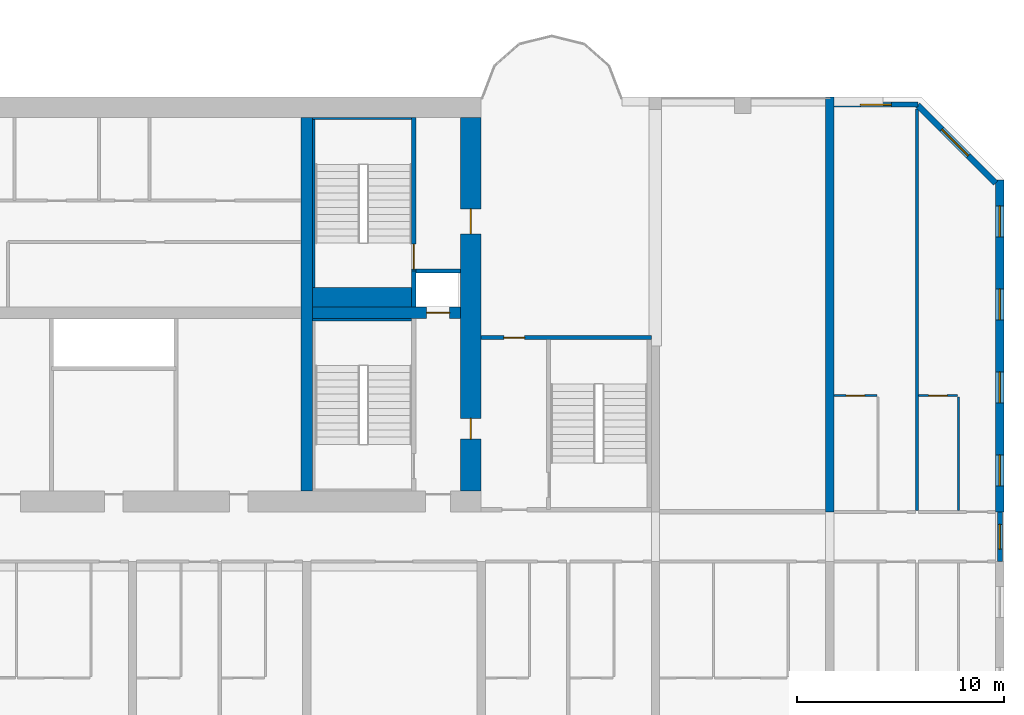
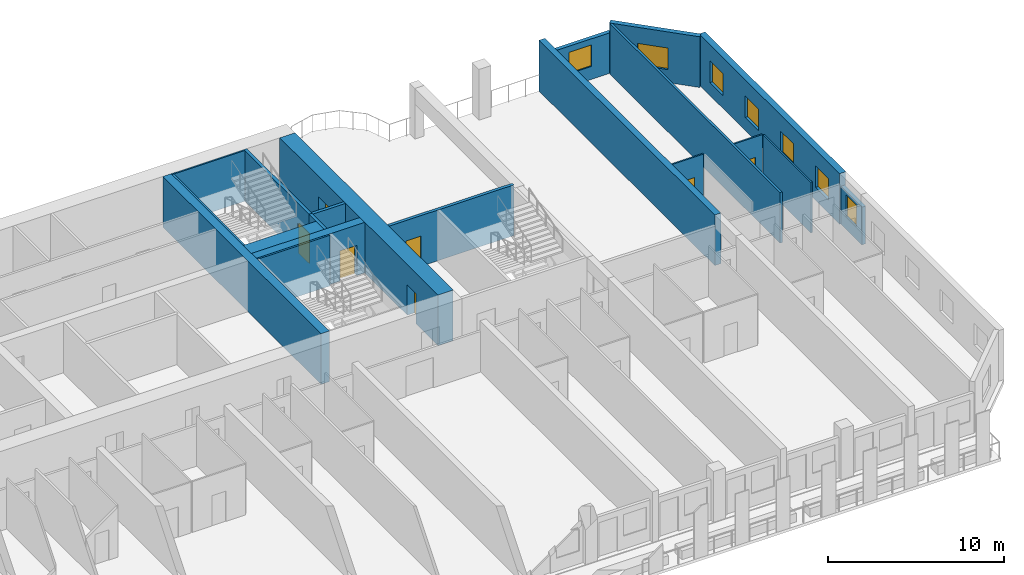
# One storey, part 10 of 14: 20 walls, 7 doors, 7 windows, 14 openings.
"""IFC4 building model written with IfcOpenShell, lengths in metres."""

from ifc_helpers import new_model, si_unit, direction, frame, frame_2d, origin, place, context, subcontext, project, spatial, rectangle, extrude, source, transform, mapped, material, layer, layer_set, type_object, element, fill, save


model = new_model("IFC4")

# Units and contexts
model_context = context("Model", 3, precision=1e-05, world=origin(), true_north=direction((0.0, 1.0)))
body_context = subcontext(model_context, "Body", "Model", "MODEL_VIEW")
ifc_project = project(units=[si_unit("LENGTHUNIT", "METRE"), si_unit("AREAUNIT", "SQUARE_METRE"), si_unit("VOLUMEUNIT", "CUBIC_METRE"), si_unit("PLANEANGLEUNIT", "RADIAN"), si_unit("MASSUNIT", "GRAM", prefix="KILO")], contexts=[model_context])

# Site, building, storey
site_placement = place(None, origin())
site = spatial("IfcSite", under=ifc_project, at=site_placement, CompositionType="ELEMENT")
building_placement = place(site_placement, origin())
building = spatial("IfcBuilding", under=site, at=building_placement, Name="Vanashikhar Sky Hotel", CompositionType="ELEMENT")
storey_placement = place(building_placement, frame((0.0, 0.0, 73.39990234375)))
storey = spatial("IfcBuildingStorey", under=building, at=storey_placement, Name="L17", CompositionType="ELEMENT", Elevation=73.39990234375)

# Wall, openings, doors
ifc_material_1 = material(Name="Concrete M80", Category="concrete")
ifc_layer_1 = layer(ifc_material_1, 1.0)
ifc_layer_set_1 = layer_set([ifc_layer_1], Name="RC core shell wall 1000 Concrete M80")
wall_type_1 = type_object("IfcWallType", Name="RC core shell wall 1000 Concrete M80", PredefinedType="SHEAR", material=ifc_layer_set_1)
shared_shape_1 = source(origin(), body_context, "Body", "SweptSolid", [
    extrude(rectangle(XDim=18.0, YDim=1.0, at=frame_2d((9.0, 0.0))), origin(), (0.0, 0.0, 1.0), 3.52001953125),
])
wall_1_placement = place(storey_placement, frame((75.10009765625, 23.0, 0.0), z_axis=(0.0, 0.0, 1.0), x_axis=(0.0, 1.0, 0.0)))
wall_1 = element("IfcWall", 1, at=wall_1_placement, inside=storey, type_object=wall_type_1, Name="KW-L17-KE", PredefinedType="SHEAR", context=body_context, shape_type="MappedRepresentation", body=[
    mapped(shared_shape_1, transform((0.0, 0.0, 0.0), scale=1.0)),
])
shared_shape_2 = source(origin(), body_context, "Body", "SweptSolid", [
    extrude(rectangle(XDim=1.0, YDim=2.10009765625, at=frame_2d((0.5, 1.050048828125))), frame((0.0, 0.510009765625, 0.0), z_axis=(0.0, -1.0, 0.0), x_axis=(1.0, 0.0, 0.0)), (0.0, 0.0, 1.0), 1.02001953125),
])
opening_1_placement = place(wall_1_placement, frame((2.5, 0.0, 0.0)))
opening_1 = element("IfcOpeningElement", 2, at=opening_1_placement, cuts=wall_1, Name="Opening DC-5", PredefinedType="OPENING", context=body_context, shape_type="MappedRepresentation", body=[
    mapped(shared_shape_2, transform((0.0, 0.0, 0.0), scale=1.0)),
])
shared_shape_3 = source(origin(), body_context, "Body", "SweptSolid", [
    extrude(rectangle(XDim=1.199951171875, YDim=2.10009765625, at=frame_2d((0.60009765625, 1.050048828125))), frame((0.0, 0.510009765625, 0.0), z_axis=(0.0, -1.0, 0.0), x_axis=(1.0, 0.0, 0.0)), (0.0, 0.0, 1.0), 1.02001953125),
])
opening_2_placement = place(wall_1_placement, frame((12.39990234375, 0.0, 0.0)))
opening_2 = element("IfcOpeningElement", 3, at=opening_2_placement, cuts=wall_1, Name="Opening DC-4-D", PredefinedType="OPENING", context=body_context, shape_type="MappedRepresentation", body=[
    mapped(shared_shape_3, transform((0.0, 0.0, 0.0), scale=1.0)),
])
ifc_material_2 = material(Name="Steel", Category="steel")
door_type_1 = type_object("IfcDoorType", Name="Refuge door 1000 FD120", OperationType="NOTDEFINED", PredefinedType="DOOR", material=ifc_material_2)
shared_shape_4 = source(origin(), body_context, "Body", "SweptSolid", [
    extrude(rectangle(XDim=1.0, YDim=2.10009765625, at=frame_2d((0.5, 1.050048828125))), frame((0.0, 0.02490234375, 0.0), z_axis=(0.0, -1.0, 0.0), x_axis=(1.0, 0.0, 0.0)), (0.0, 0.0, 1.0), 0.050048828125),
])
door_1_placement = place(opening_1_placement, origin())
door_1 = element("IfcDoor", 4, at=door_1_placement, inside=storey, type_object=door_type_1, Name="Refuge door 1000 FD120", OperationType="SINGLE_SWING_LEFT", OverallHeight=2.10009765625, OverallWidth=1.0, PredefinedType="DOOR", context=body_context, shape_type="MappedRepresentation", body=[
    mapped(shared_shape_4, transform((0.0, 0.0, 0.0), scale=1.0)),
])
fill(opening_1, door_1)
door_type_2 = type_object("IfcDoorType", Name="Service door 1200 FD120", OperationType="NOTDEFINED", PredefinedType="DOOR", material=ifc_material_2)
shared_shape_5 = source(origin(), body_context, "Body", "SweptSolid", [
    extrude(rectangle(XDim=1.199951171875, YDim=2.10009765625, at=frame_2d((0.60009765625, 1.050048828125))), frame((0.0, 0.02490234375, 0.0), z_axis=(0.0, -1.0, 0.0), x_axis=(1.0, 0.0, 0.0)), (0.0, 0.0, 1.0), 0.050048828125),
])
door_2_placement = place(opening_2_placement, origin())
door_2 = element("IfcDoor", 5, at=door_2_placement, inside=storey, type_object=door_type_2, Name="Service door 1200 FD120", OperationType="SINGLE_SWING_RIGHT", OverallHeight=2.10009765625, OverallWidth=1.199951171875, PredefinedType="DOOR", context=body_context, shape_type="MappedRepresentation", body=[
    mapped(shared_shape_5, transform((0.0, 0.0, 0.0), scale=1.0)),
])
fill(opening_2, door_2)

# Wall
ifc_layer_2 = layer(ifc_material_1, 0.550048828125)
ifc_layer_set_2 = layer_set([ifc_layer_2], Name="RC core inner wall 550 Concrete M80")
wall_type_2 = type_object("IfcWallType", Name="RC core inner wall 550 Concrete M80", PredefinedType="SHEAR", material=ifc_layer_set_2)
shared_shape_6 = source(origin(), body_context, "Body", "SweptSolid", [
    extrude(rectangle(XDim=18.0, YDim=0.550048828125, at=frame_2d((9.0, 0.0))), origin(), (0.0, 0.0, 1.0), 3.52001953125),
])
wall_2_placement = place(storey_placement, frame((67.199951171875, 23.0, 0.0), z_axis=(0.0, 0.0, 1.0), x_axis=(0.0, 1.0, 0.0)))
element("IfcWall", 6, at=wall_2_placement, inside=storey, type_object=wall_type_2, Name="KW-L17-KX3", PredefinedType="SHEAR", context=body_context, shape_type="MappedRepresentation", body=[
    mapped(shared_shape_6, transform((0.0, 0.0, 0.0), scale=1.0)),
])

# Wall, opening, door
shared_shape_7 = source(origin(), body_context, "Body", "SweptSolid", [
    extrude(rectangle(XDim=7.125, YDim=0.550048828125, at=frame_2d((3.5625, 0.0))), origin(), (0.0, 0.0, 1.0), 3.52001953125),
])
wall_3_placement = place(storey_placement, frame((67.47509765625, 31.60009765625, 0.0), z_axis=(0.0, 0.0, 1.0), x_axis=(1.0, 0.0, 0.0)))
wall_3 = element("IfcWall", 7, at=wall_3_placement, inside=storey, type_object=wall_type_2, Name="KW-L17-KY4", PredefinedType="SHEAR", context=body_context, shape_type="MappedRepresentation", body=[
    mapped(shared_shape_7, transform((0.0, 0.0, 0.0), scale=1.0)),
])
shared_shape_8 = source(origin(), body_context, "Body", "SweptSolid", [
    extrude(rectangle(XDim=1.10009765625, YDim=2.10009765625, at=frame_2d((0.550048828125, 1.050048828125))), frame((0.0, 0.28515625, 0.0), z_axis=(0.0, -1.0, 0.0), x_axis=(1.0, 0.0, 0.0)), (0.0, 0.0, 1.0), 0.570068359375),
])
opening_3_placement = place(wall_3_placement, frame((5.5, 0.0, 0.0)))
opening_3 = element("IfcOpeningElement", 8, at=opening_3_placement, cuts=wall_3, Name="Opening LD", PredefinedType="OPENING", context=body_context, shape_type="MappedRepresentation", body=[
    mapped(shared_shape_8, transform((0.0, 0.0, 0.0), scale=1.0)),
])
ifc_material_3 = material(Name="Stainless steel", Category="steel")
door_type_3 = type_object("IfcDoorType", Name="Lift landing door 1100", OperationType="NOTDEFINED", PredefinedType="DOOR", material=ifc_material_3)
shared_shape_9 = source(origin(), body_context, "Body", "SweptSolid", [
    extrude(rectangle(XDim=1.10009765625, YDim=2.10009765625, at=frame_2d((0.550048828125, 1.050048828125))), frame((0.0, 0.02490234375, 0.0), z_axis=(0.0, -1.0, 0.0), x_axis=(1.0, 0.0, 0.0)), (0.0, 0.0, 1.0), 0.050048828125),
])
door_3_placement = place(opening_3_placement, origin())
door_3 = element("IfcDoor", 9, at=door_3_placement, inside=storey, type_object=door_type_3, Name="Lift landing door 1100", OperationType="SLIDING_TO_RIGHT", OverallHeight=2.10009765625, OverallWidth=1.10009765625, PredefinedType="DOOR", context=body_context, shape_type="MappedRepresentation", body=[
    mapped(shared_shape_9, transform((0.0, 0.0, 0.0), scale=1.0)),
])
fill(opening_3, door_3)

# Wall, openings, windows
ifc_layer_3 = layer(ifc_material_1, 0.39990234375)
ifc_layer_set_3 = layer_set([ifc_layer_3], Name="RC shear wall 400 Concrete M80")
wall_type_3 = type_object("IfcWallType", Name="RC shear wall 400 Concrete M80", PredefinedType="SHEAR", material=ifc_layer_set_3)
shared_shape_10 = source(origin(), body_context, "Body", "SweptSolid", [
    extrude(rectangle(XDim=16.0, YDim=0.39990234375, at=frame_2d((8.0, 0.0))), origin(), (0.0, 0.0, 1.0), 3.52001953125),
])
wall_4_placement = place(storey_placement, frame((100.60009765625, 22.0, 0.0), z_axis=(0.0, 0.0, 1.0), x_axis=(0.0, 1.0, 0.0)))
wall_4 = element("IfcWall", 10, at=wall_4_placement, inside=storey, type_object=wall_type_3, Name="CW-L17-XW13-2", PredefinedType="SHEAR", context=body_context, shape_type="MappedRepresentation", body=[
    mapped(shared_shape_10, transform((0.0, 0.0, 0.0), scale=1.0)),
])
shared_shape_11 = source(origin(), body_context, "Body", "SweptSolid", [
    extrude(rectangle(XDim=1.5, YDim=1.5, at=frame_2d((0.75, 0.75))), frame((0.0, 0.2099609375, 0.0), z_axis=(0.0, -1.0, 0.0), x_axis=(1.0, 0.0, 0.0)), (0.0, 0.0, 1.0), 0.419921875),
])
opening_4_placement = place(wall_4_placement, frame((1.25, 0.0, 0.89990234375)))
opening_4 = element("IfcOpeningElement", 11, at=opening_4_placement, cuts=wall_4, Name="Opening WN-1", PredefinedType="OPENING", context=body_context, shape_type="MappedRepresentation", body=[
    mapped(shared_shape_11, transform((0.0, 0.0, 0.0), scale=1.0)),
])
opening_5_placement = place(wall_4_placement, frame((5.25, 0.0, 0.89990234375)))
opening_5 = element("IfcOpeningElement", 12, at=opening_5_placement, cuts=wall_4, Name="Opening WN-1", PredefinedType="OPENING", context=body_context, shape_type="MappedRepresentation", body=[
    mapped(shared_shape_11, transform((0.0, 0.0, 0.0), scale=1.0)),
])
opening_6_placement = place(wall_4_placement, frame((9.25, 0.0, 0.89990234375)))
opening_6 = element("IfcOpeningElement", 13, at=opening_6_placement, cuts=wall_4, Name="Opening WN-1", PredefinedType="OPENING", context=body_context, shape_type="MappedRepresentation", body=[
    mapped(shared_shape_11, transform((0.0, 0.0, 0.0), scale=1.0)),
])
opening_7_placement = place(wall_4_placement, frame((13.25, 0.0, 0.89990234375)))
opening_7 = element("IfcOpeningElement", 14, at=opening_7_placement, cuts=wall_4, Name="Opening WN-1", PredefinedType="OPENING", context=body_context, shape_type="MappedRepresentation", body=[
    mapped(shared_shape_11, transform((0.0, 0.0, 0.0), scale=1.0)),
])
ifc_material_4 = material(Name="Glass", Category="glass")
window_type_1 = type_object("IfcWindowType", Name="Window 1500 x 1500", PartitioningType="SINGLE_PANEL", PredefinedType="WINDOW", material=ifc_material_4)
shared_shape_12 = source(origin(), body_context, "Body", "SweptSolid", [
    extrude(rectangle(XDim=1.5, YDim=1.5, at=frame_2d((0.75, 0.75))), frame((0.0, 0.030029296875, 0.0), z_axis=(0.0, -1.0, 0.0), x_axis=(1.0, 0.0, 0.0)), (0.0, 0.0, 1.0), 0.06005859375),
])
window_1_placement = place(opening_4_placement, origin())
window_1 = element("IfcWindow", 15, at=window_1_placement, inside=storey, type_object=window_type_1, Name="Window WN-1", OverallHeight=1.5, OverallWidth=1.5, PartitioningType="SINGLE_PANEL", PredefinedType="WINDOW", context=body_context, shape_type="MappedRepresentation", body=[
    mapped(shared_shape_12, transform((0.0, 0.0, 0.0), scale=1.0)),
])
fill(opening_4, window_1)
window_2_placement = place(opening_5_placement, origin())
window_2 = element("IfcWindow", 16, at=window_2_placement, inside=storey, type_object=window_type_1, Name="Window WN-1", OverallHeight=1.5, OverallWidth=1.5, PartitioningType="SINGLE_PANEL", PredefinedType="WINDOW", context=body_context, shape_type="MappedRepresentation", body=[
    mapped(shared_shape_12, transform((0.0, 0.0, 0.0), scale=1.0)),
])
fill(opening_5, window_2)
window_3_placement = place(opening_6_placement, origin())
window_3 = element("IfcWindow", 17, at=window_3_placement, inside=storey, type_object=window_type_1, Name="Window WN-1", OverallHeight=1.5, OverallWidth=1.5, PartitioningType="SINGLE_PANEL", PredefinedType="WINDOW", context=body_context, shape_type="MappedRepresentation", body=[
    mapped(shared_shape_12, transform((0.0, 0.0, 0.0), scale=1.0)),
])
fill(opening_6, window_3)
window_4_placement = place(opening_7_placement, origin())
window_4 = element("IfcWindow", 18, at=window_4_placement, inside=storey, type_object=window_type_1, Name="Window WN-1", OverallHeight=1.5, OverallWidth=1.5, PartitioningType="SINGLE_PANEL", PredefinedType="WINDOW", context=body_context, shape_type="MappedRepresentation", body=[
    mapped(shared_shape_12, transform((0.0, 0.0, 0.0), scale=1.0)),
])
fill(opening_7, window_4)

# Wall
shared_shape_13 = source(origin(), body_context, "Body", "SweptSolid", [
    extrude(rectangle(XDim=20.0, YDim=0.39990234375, at=frame_2d((10.0, 0.0))), origin(), (0.0, 0.0, 1.0), 3.52001953125),
])
wall_5_placement = place(storey_placement, frame((92.39990234375, 22.0, 0.0), z_axis=(0.0, 0.0, 1.0), x_axis=(0.0, 1.0, 0.0)))
element("IfcWall", 19, at=wall_5_placement, inside=storey, type_object=wall_type_3, Name="CW-L17-XW12-2", PredefinedType="SHEAR", context=body_context, shape_type="MappedRepresentation", body=[
    mapped(shared_shape_13, transform((0.0, 0.0, 0.0), scale=1.0)),
])

# Wall, opening, window
ifc_material_5 = material(Name="Concrete M50", Category="concrete")
ifc_layer_4 = layer(ifc_material_5, 0.300048828125)
ifc_layer_set_4 = layer_set([ifc_layer_4], Name="Lobe wall 300")
wall_type_4 = type_object("IfcWallType", Name="Lobe wall 300", PredefinedType="SOLIDWALL", material=ifc_layer_set_4)
shared_shape_14 = source(origin(), body_context, "Body", "SweptSolid", [
    extrude(rectangle(XDim=5.32568359375, YDim=0.300048828125, at=frame_2d((2.662841796875, 0.0))), origin(), (0.0, 0.0, 1.0), 3.52001953125),
])
wall_6_placement = place(storey_placement, frame((100.39990234375, 37.834228515625, 0.0), z_axis=(0.0, 0.0, 1.0), x_axis=(-0.707083859269, 0.707129702361, 0.0)))
wall_6 = element("IfcWall", 20, at=wall_6_placement, inside=storey, type_object=wall_type_4, Name="Corner wall", PredefinedType="SOLIDWALL", context=body_context, shape_type="MappedRepresentation", body=[
    mapped(shared_shape_14, transform((0.0, 0.0, 0.0), scale=1.0)),
])
shared_shape_15 = source(origin(), body_context, "Body", "SweptSolid", [
    extrude(rectangle(XDim=1.800048828125, YDim=1.5, at=frame_2d((0.89990234375, 0.75))), frame((0.0, 0.16015625, 0.0), z_axis=(0.0, -1.0, 0.0), x_axis=(1.0, 0.0, 0.0)), (0.0, 0.0, 1.0), 0.320068359375),
])
opening_8_placement = place(wall_6_placement, frame((1.871337890625, 0.0, 0.89990234375)))
opening_8 = element("IfcOpeningElement", 21, at=opening_8_placement, cuts=wall_6, Name="Opening WN-4", PredefinedType="OPENING", context=body_context, shape_type="MappedRepresentation", body=[
    mapped(shared_shape_15, transform((0.0, 0.0, 0.0), scale=1.0)),
])
window_type_2 = type_object("IfcWindowType", Name="Corner window 1800 x 1500", PartitioningType="SINGLE_PANEL", PredefinedType="WINDOW", material=ifc_material_4)
shared_shape_16 = source(origin(), body_context, "Body", "SweptSolid", [
    extrude(rectangle(XDim=1.800048828125, YDim=1.5, at=frame_2d((0.89990234375, 0.75))), frame((0.0, 0.030029296875, 0.0), z_axis=(0.0, -1.0, 0.0), x_axis=(1.0, 0.0, 0.0)), (0.0, 0.0, 1.0), 0.06005859375),
])
window_5_placement = place(opening_8_placement, origin())
window_5 = element("IfcWindow", 22, at=window_5_placement, inside=storey, type_object=window_type_2, Name="Window WN-4", OverallHeight=1.5, OverallWidth=1.800048828125, PartitioningType="SINGLE_PANEL", PredefinedType="WINDOW", context=body_context, shape_type="MappedRepresentation", body=[
    mapped(shared_shape_16, transform((0.0, 0.0, 0.0), scale=1.0)),
])
fill(opening_8, window_5)

ifc_layer_5 = layer(ifc_material_5, 0.25)
ifc_layer_set_5 = layer_set([ifc_layer_5], Name="Rear and end board-marked wall 250")
wall_type_5 = type_object("IfcWallType", Name="Rear and end board-marked wall 250", PredefinedType="SOLIDWALL", material=ifc_layer_set_5)
shared_shape_17 = source(origin(), body_context, "Body", "SweptSolid", [
    extrude(rectangle(XDim=2.39990234375, YDim=0.25, at=frame_2d((1.199951171875, 0.0))), origin(), (0.0, 0.0, 1.0), 2.6201171875),
])
wall_7_placement = place(storey_placement, frame((100.60009765625, 19.60009765625, 0.0), z_axis=(0.0, 0.0, 1.0), x_axis=(0.0, 1.0, 0.0)))
wall_7 = element("IfcWall", 23, at=wall_7_placement, inside=storey, type_object=wall_type_5, Name="End corridor infill wall", PredefinedType="SOLIDWALL", context=body_context, shape_type="MappedRepresentation", body=[
    mapped(shared_shape_17, transform((0.0, 0.0, 0.0), scale=1.0)),
])
shared_shape_18 = source(origin(), body_context, "Body", "SweptSolid", [
    extrude(rectangle(XDim=1.199951171875, YDim=1.5, at=frame_2d((0.60009765625, 0.75))), frame((0.0, 0.135009765625, 0.0), z_axis=(0.0, -1.0, 0.0), x_axis=(1.0, 0.0, 0.0)), (0.0, 0.0, 1.0), 0.27001953125),
])
opening_9_placement = place(wall_7_placement, frame((0.60009765625, 0.0, 0.89990234375)))
opening_9 = element("IfcOpeningElement", 24, at=opening_9_placement, cuts=wall_7, Name="Opening WN-3", PredefinedType="OPENING", context=body_context, shape_type="MappedRepresentation", body=[
    mapped(shared_shape_18, transform((0.0, 0.0, 0.0), scale=1.0)),
])
window_type_3 = type_object("IfcWindowType", Name="Corridor end window 1200 x 1500", PartitioningType="SINGLE_PANEL", PredefinedType="WINDOW", material=ifc_material_4)
shared_shape_19 = source(origin(), body_context, "Body", "SweptSolid", [
    extrude(rectangle(XDim=1.199951171875, YDim=1.5, at=frame_2d((0.60009765625, 0.75))), frame((0.0, 0.030029296875, 0.0), z_axis=(0.0, -1.0, 0.0), x_axis=(1.0, 0.0, 0.0)), (0.0, 0.0, 1.0), 0.06005859375),
])
window_6_placement = place(opening_9_placement, origin())
window_6 = element("IfcWindow", 25, at=window_6_placement, inside=storey, type_object=window_type_3, Name="Window WN-3", OverallHeight=1.5, OverallWidth=1.199951171875, PartitioningType="SINGLE_PANEL", PredefinedType="WINDOW", context=body_context, shape_type="MappedRepresentation", body=[
    mapped(shared_shape_19, transform((0.0, 0.0, 0.0), scale=1.0)),
])
fill(opening_9, window_6)

shared_shape_20 = source(origin(), body_context, "Body", "SweptSolid", [
    extrude(rectangle(XDim=4.044677734375, YDim=0.25, at=frame_2d((2.0224609375, 0.0))), origin(), (0.0, 0.0, 1.0), 2.820068359375),
])
wall_8_placement = place(storey_placement, frame((96.644775390625, 41.625, 0.0), z_axis=(0.0, 0.0, 1.0), x_axis=(-1.0, 0.0, 0.0)))
wall_8 = element("IfcWall", 26, at=wall_8_placement, inside=storey, type_object=wall_type_5, Name="Rear board-marked wall", PredefinedType="SOLIDWALL", context=body_context, shape_type="MappedRepresentation", body=[
    mapped(shared_shape_20, transform((0.0, 0.0, 0.0), scale=1.0)),
])
shared_shape_21 = source(origin(), body_context, "Body", "SweptSolid", [
    extrude(rectangle(XDim=1.5, YDim=1.5, at=frame_2d((0.75, 0.75))), frame((0.0, 0.135009765625, 0.0), z_axis=(0.0, -1.0, 0.0), x_axis=(1.0, 0.0, 0.0)), (0.0, 0.0, 1.0), 0.27001953125),
])
opening_10_placement = place(wall_8_placement, frame((1.272216796875, 0.0, 0.89990234375)))
opening_10 = element("IfcOpeningElement", 27, at=opening_10_placement, cuts=wall_8, Name="Opening WN-1", PredefinedType="OPENING", context=body_context, shape_type="MappedRepresentation", body=[
    mapped(shared_shape_21, transform((0.0, 0.0, 0.0), scale=1.0)),
])
window_7_placement = place(opening_10_placement, origin())
window_7 = element("IfcWindow", 28, at=window_7_placement, inside=storey, type_object=window_type_1, Name="Window WN-1", OverallHeight=1.5, OverallWidth=1.5, PartitioningType="SINGLE_PANEL", PredefinedType="WINDOW", context=body_context, shape_type="MappedRepresentation", body=[
    mapped(shared_shape_12, transform((0.0, 0.0, 0.0), scale=1.0)),
])
fill(opening_10, window_7)

# Wall, opening, door
ifc_layer_6 = layer(ifc_material_5, 0.199951171875)
ifc_layer_set_6 = layer_set([ifc_layer_6], Name="Stair wall 200")
wall_type_6 = type_object("IfcWallType", Name="Stair wall 200", PredefinedType="SOLIDWALL", material=ifc_layer_set_6)
shared_shape_22 = source(origin(), body_context, "Body", "SweptSolid", [
    extrude(rectangle(XDim=8.199951171875, YDim=0.199951171875, at=frame_2d((4.10009765625, 0.0))), origin(), (0.0, 0.0, 1.0), 3.52001953125),
])
wall_9_placement = place(storey_placement, frame((83.800048828125, 30.39990234375, 0.0), z_axis=(0.0, 0.0, 1.0), x_axis=(-1.0, 0.0, 0.0)))
wall_9 = element("IfcWall", 29, at=wall_9_placement, inside=storey, type_object=wall_type_6, Name="Stair wall 200", PredefinedType="SOLIDWALL", context=body_context, shape_type="MappedRepresentation", body=[
    mapped(shared_shape_22, transform((0.0, 0.0, 0.0), scale=1.0)),
])
shared_shape_23 = source(origin(), body_context, "Body", "SweptSolid", [
    extrude(rectangle(XDim=1.0, YDim=2.10009765625, at=frame_2d((0.5, 1.050048828125))), frame((0.0, 0.10986328125, 0.0), z_axis=(0.0, -1.0, 0.0), x_axis=(1.0, 0.0, 0.0)), (0.0, 0.0, 1.0), 0.219970703125),
])
opening_11_placement = place(wall_9_placement, frame((6.10009765625, 0.0, 0.0)))
opening_11 = element("IfcOpeningElement", 30, at=opening_11_placement, cuts=wall_9, Name="Opening DC-6", PredefinedType="OPENING", context=body_context, shape_type="MappedRepresentation", body=[
    mapped(shared_shape_23, transform((0.0, 0.0, 0.0), scale=1.0)),
])
door_type_4 = type_object("IfcDoorType", Name="Pocket door 1000 FD60", OperationType="NOTDEFINED", PredefinedType="DOOR", material=ifc_material_2)
door_4_placement = place(opening_11_placement, origin())
door_4 = element("IfcDoor", 31, at=door_4_placement, inside=storey, type_object=door_type_4, Name="Pocket door 1000 FD60", OperationType="SINGLE_SWING_LEFT", OverallHeight=2.10009765625, OverallWidth=1.0, PredefinedType="DOOR", context=body_context, shape_type="MappedRepresentation", body=[
    mapped(shared_shape_4, transform((0.0, 0.0, 0.0), scale=1.0)),
])
fill(opening_11, door_4)

# Walls
ifc_material_6 = material(Name="Concrete M40", Category="concrete")
ifc_layer_7 = layer(ifc_material_6, 0.199951171875)
ifc_layer_set_7 = layer_set([ifc_layer_7], Name="Shaft wall 200")
wall_type_7 = type_object("IfcWallType", Name="Shaft wall 200", PredefinedType="SOLIDWALL", material=ifc_layer_set_7)
shared_shape_24 = source(origin(), body_context, "Body", "SweptSolid", [
    extrude(rectangle(XDim=2.150146484375, YDim=0.199951171875, at=frame_2d((1.0751953125, 0.0))), origin(), (0.0, 0.0, 1.0), 3.52001953125),
])
wall_10_placement = place(storey_placement, frame((72.449951171875, 33.60009765625, 0.0), z_axis=(0.0, 0.0, 1.0), x_axis=(1.0, 0.0, 0.0)))
element("IfcWall", 32, at=wall_10_placement, inside=storey, type_object=wall_type_7, Name="Shaft wall 200", PredefinedType="SOLIDWALL", context=body_context, shape_type="MappedRepresentation", body=[
    mapped(shared_shape_24, transform((0.0, 0.0, 0.0), scale=1.0)),
])
shared_shape_25 = source(origin(), body_context, "Body", "SweptSolid", [
    extrude(rectangle(XDim=1.72509765625, YDim=0.199951171875, at=frame_2d((0.862548828125, 0.0))), origin(), (0.0, 0.0, 1.0), 3.52001953125),
])
wall_11_placement = place(storey_placement, frame((72.35009765625, 31.875, 0.0), z_axis=(0.0, 0.0, 1.0), x_axis=(0.0, 1.0, 0.0)))
element("IfcWall", 33, at=wall_11_placement, inside=storey, type_object=wall_type_7, Name="Shaft wall 200", PredefinedType="SOLIDWALL", context=body_context, shape_type="MappedRepresentation", body=[
    mapped(shared_shape_25, transform((0.0, 0.0, 0.0), scale=1.0)),
])

# Wall, opening, door
shared_shape_26 = source(origin(), body_context, "Body", "SweptSolid", [
    extrude(rectangle(XDim=7.39990234375, YDim=0.199951171875, at=frame_2d((3.699951171875, 0.0))), origin(), (0.0, 0.0, 1.0), 3.52001953125),
])
wall_12_placement = place(storey_placement, frame((72.35009765625, 33.60009765625, 0.0), z_axis=(0.0, 0.0, 1.0), x_axis=(0.0, 1.0, 0.0)))
wall_12 = element("IfcWall", 34, at=wall_12_placement, inside=storey, type_object=wall_type_6, Name="Stair wall 200", PredefinedType="SOLIDWALL", context=body_context, shape_type="MappedRepresentation", body=[
    mapped(shared_shape_26, transform((0.0, 0.0, 0.0), scale=1.0)),
])
shared_shape_27 = source(origin(), body_context, "Body", "SweptSolid", [
    extrude(rectangle(XDim=1.199951171875, YDim=2.10009765625, at=frame_2d((0.60009765625, 1.050048828125))), frame((0.0, 0.10986328125, 0.0), z_axis=(0.0, -1.0, 0.0), x_axis=(1.0, 0.0, 0.0)), (0.0, 0.0, 1.0), 0.219970703125),
])
opening_12_placement = place(wall_12_placement, frame((0.10009765625, 0.0, 0.0)))
opening_12 = element("IfcOpeningElement", 35, at=opening_12_placement, cuts=wall_12, Name="Opening DC-1", PredefinedType="OPENING", context=body_context, shape_type="MappedRepresentation", body=[
    mapped(shared_shape_27, transform((0.0, 0.0, 0.0), scale=1.0)),
])
door_type_5 = type_object("IfcDoorType", Name="Stair door 1200 FD120", OperationType="NOTDEFINED", PredefinedType="DOOR", material=ifc_material_2)
door_5_placement = place(opening_12_placement, origin())
door_5 = element("IfcDoor", 36, at=door_5_placement, inside=storey, type_object=door_type_5, Name="Stair door 1200 FD120", OperationType="SINGLE_SWING_LEFT", OverallHeight=2.10009765625, OverallWidth=1.199951171875, PredefinedType="DOOR", context=body_context, shape_type="MappedRepresentation", body=[
    mapped(shared_shape_5, transform((0.0, 0.0, 0.0), scale=1.0)),
])
fill(opening_12, door_5)

# Walls
ifc_layer_8 = layer(ifc_material_5, 0.10009765625)
ifc_layer_set_8 = layer_set([ifc_layer_8], Name="Stair infill wall 100")
wall_type_8 = type_object("IfcWallType", Name="Stair infill wall 100", PredefinedType="SOLIDWALL", material=ifc_layer_set_8)
shared_shape_28 = source(origin(), body_context, "Body", "SweptSolid", [
    extrude(rectangle(XDim=4.77490234375, YDim=0.10009765625, at=frame_2d((2.387451171875, 0.0))), origin(), (0.0, 0.0, 1.0), 3.52001953125),
])
wall_13_placement = place(storey_placement, frame((67.47509765625, 40.949951171875, 0.0), z_axis=(0.0, 0.0, 1.0), x_axis=(1.0, 0.0, 0.0)))
element("IfcWall", 37, at=wall_13_placement, inside=storey, type_object=wall_type_8, Name="Stair infill wall 100", PredefinedType="SOLIDWALL", context=body_context, shape_type="MappedRepresentation", body=[
    mapped(shared_shape_28, transform((0.0, 0.0, 0.0), scale=1.0)),
])
ifc_layer_9 = layer(ifc_material_5, 0.125)
ifc_layer_set_9 = layer_set([ifc_layer_9], Name="Stair infill wall 125")
wall_type_9 = type_object("IfcWallType", Name="Stair infill wall 125", PredefinedType="SOLIDWALL", material=ifc_layer_set_9)
shared_shape_29 = source(origin(), body_context, "Body", "SweptSolid", [
    extrude(rectangle(XDim=4.77490234375, YDim=0.125, at=frame_2d((2.387451171875, 0.0))), origin(), (0.0, 0.0, 1.0), 3.52001953125),
])
wall_14_placement = place(storey_placement, frame((67.47509765625, 31.261962890625, 0.0), z_axis=(0.0, 0.0, 1.0), x_axis=(1.0, 0.0, 0.0)))
element("IfcWall", 38, at=wall_14_placement, inside=storey, type_object=wall_type_9, Name="Stair infill wall 125", PredefinedType="SOLIDWALL", context=body_context, shape_type="MappedRepresentation", body=[
    mapped(shared_shape_29, transform((0.0, 0.0, 0.0), scale=1.0)),
])
shared_shape_30 = source(origin(), body_context, "Body", "SweptSolid", [
    extrude(rectangle(XDim=8.099853515625, YDim=0.125, at=frame_2d((4.0498046875, 0.0))), origin(), (0.0, 0.0, 1.0), 3.52001953125),
])
wall_15_placement = place(storey_placement, frame((67.537109375, 32.800048828125, 0.0), z_axis=(0.0, 0.0, 1.0), x_axis=(0.0, 1.0, 0.0)))
element("IfcWall", 39, at=wall_15_placement, inside=storey, type_object=wall_type_9, Name="Stair infill wall 125", PredefinedType="SOLIDWALL", context=body_context, shape_type="MappedRepresentation", body=[
    mapped(shared_shape_30, transform((0.0, 0.0, 0.0), scale=1.0)),
])
ifc_layer_10 = layer(ifc_material_5, 0.925048828125)
ifc_layer_set_10 = layer_set([ifc_layer_10], Name="Stair infill wall 925")
wall_type_10 = type_object("IfcWallType", Name="Stair infill wall 925", PredefinedType="SOLIDWALL", material=ifc_layer_set_10)
shared_shape_31 = source(origin(), body_context, "Body", "SweptSolid", [
    extrude(rectangle(XDim=4.77490234375, YDim=0.925048828125, at=frame_2d((2.387451171875, 0.0))), origin(), (0.0, 0.0, 1.0), 3.52001953125),
])
wall_16_placement = place(storey_placement, frame((67.47509765625, 32.3369140625, 0.0), z_axis=(0.0, 0.0, 1.0), x_axis=(1.0, 0.0, 0.0)))
element("IfcWall", 40, at=wall_16_placement, inside=storey, type_object=wall_type_10, Name="Stair infill wall 925", PredefinedType="SOLIDWALL", context=body_context, shape_type="MappedRepresentation", body=[
    mapped(shared_shape_31, transform((0.0, 0.0, 0.0), scale=1.0)),
])
ifc_material_7 = material(Name="Gypsum plasterboard partition")
ifc_layer_11 = layer(ifc_material_7, 0.14990234375)
ifc_layer_set_11 = layer_set([ifc_layer_11], Name="Corridor and demising partition 150")
wall_type_11 = type_object("IfcWallType", Name="Corridor and demising partition 150", PredefinedType="PARTITIONING", material=ifc_layer_set_11)
shared_shape_32 = source(origin(), body_context, "Body", "SweptSolid", [
    extrude(rectangle(XDim=19.34716796875, YDim=0.14990234375, at=frame_2d((9.673583984375, 0.0))), origin(), (0.0, 0.0, 1.0), 3.52001953125),
])
wall_17_placement = place(storey_placement, frame((96.60009765625, 22.074951171875, 0.0), z_axis=(0.0, 0.0, 1.0), x_axis=(0.0, 1.0, 0.0)))
element("IfcWall", 41, at=wall_17_placement, inside=storey, type_object=wall_type_11, Name="W-L17-PW091", PredefinedType="PARTITIONING", context=body_context, shape_type="MappedRepresentation", body=[
    mapped(shared_shape_32, transform((0.0, 0.0, 0.0), scale=1.0)),
])

# Wall, opening, door
ifc_layer_12 = layer(ifc_material_7, 0.10009765625)
ifc_layer_set_12 = layer_set([ifc_layer_12], Name="Wet room partition 100")
wall_type_12 = type_object("IfcWallType", Name="Wet room partition 100", PredefinedType="PARTITIONING", material=ifc_layer_set_12)
shared_shape_33 = source(origin(), body_context, "Body", "SweptSolid", [
    extrude(rectangle(XDim=2.074951171875, YDim=0.10009765625, at=frame_2d((1.03759765625, 0.0))), origin(), (0.0, 0.0, 1.0), 3.52001953125),
])
wall_18_placement = place(storey_placement, frame((92.60009765625, 27.60009765625, 0.0), z_axis=(0.0, 0.0, 1.0), x_axis=(1.0, 0.0, 0.0)))
wall_18 = element("IfcWall", 42, at=wall_18_placement, inside=storey, type_object=wall_type_12, Name="W-L17-PW086", PredefinedType="PARTITIONING", context=body_context, shape_type="MappedRepresentation", body=[
    mapped(shared_shape_33, transform((0.0, 0.0, 0.0), scale=1.0)),
])
shared_shape_34 = source(origin(), body_context, "Body", "SweptSolid", [
    extrude(rectangle(XDim=0.89990234375, YDim=2.10009765625, at=frame_2d((0.449951171875, 1.050048828125))), frame((0.0, 0.06005859375, 0.0), z_axis=(0.0, -1.0, 0.0), x_axis=(1.0, 0.0, 0.0)), (0.0, 0.0, 1.0), 0.1201171875),
])
opening_13_placement = place(wall_18_placement, frame((0.5869140625, 0.0, 0.0)))
opening_13 = element("IfcOpeningElement", 43, at=opening_13_placement, cuts=wall_18, Name="Opening D-02", PredefinedType="OPENING", context=body_context, shape_type="MappedRepresentation", body=[
    mapped(shared_shape_34, transform((0.0, 0.0, 0.0), scale=1.0)),
])
ifc_material_8 = material(Name="Timber door", Category="wood")
door_type_6 = type_object("IfcDoorType", Name="Internal door 900", OperationType="NOTDEFINED", PredefinedType="DOOR", material=ifc_material_8)
shared_shape_35 = source(origin(), body_context, "Body", "SweptSolid", [
    extrude(rectangle(XDim=0.89990234375, YDim=2.10009765625, at=frame_2d((0.449951171875, 1.050048828125))), frame((0.0, 0.02490234375, 0.0), z_axis=(0.0, -1.0, 0.0), x_axis=(1.0, 0.0, 0.0)), (0.0, 0.0, 1.0), 0.050048828125),
])
door_6_placement = place(opening_13_placement, origin())
door_6 = element("IfcDoor", 44, at=door_6_placement, inside=storey, type_object=door_type_6, Name="D-L17-049", OperationType="SINGLE_SWING_RIGHT", OverallHeight=2.10009765625, OverallWidth=0.89990234375, PredefinedType="DOOR", context=body_context, shape_type="MappedRepresentation", body=[
    mapped(shared_shape_35, transform((0.0, 0.0, 0.0), scale=1.0)),
])
fill(opening_13, door_6)

shared_shape_36 = source(origin(), body_context, "Body", "SweptSolid", [
    extrude(rectangle(XDim=1.875, YDim=0.10009765625, at=frame_2d((0.9375, 0.0))), origin(), (0.0, 0.0, 1.0), 3.52001953125),
])
wall_19_placement = place(storey_placement, frame((96.675048828125, 27.60009765625, 0.0), z_axis=(0.0, 0.0, 1.0), x_axis=(1.0, 0.0, 0.0)))
wall_19 = element("IfcWall", 45, at=wall_19_placement, inside=storey, type_object=wall_type_12, Name="W-L17-PW089", PredefinedType="PARTITIONING", context=body_context, shape_type="MappedRepresentation", body=[
    mapped(shared_shape_36, transform((0.0, 0.0, 0.0), scale=1.0)),
])
opening_14_placement = place(wall_19_placement, frame((0.488037109375, 0.0, 0.0)))
opening_14 = element("IfcOpeningElement", 46, at=opening_14_placement, cuts=wall_19, Name="Opening D-02", PredefinedType="OPENING", context=body_context, shape_type="MappedRepresentation", body=[
    mapped(shared_shape_34, transform((0.0, 0.0, 0.0), scale=1.0)),
])
door_7_placement = place(opening_14_placement, origin())
door_7 = element("IfcDoor", 47, at=door_7_placement, inside=storey, type_object=door_type_6, Name="D-L17-051", OperationType="SINGLE_SWING_RIGHT", OverallHeight=2.10009765625, OverallWidth=0.89990234375, PredefinedType="DOOR", context=body_context, shape_type="MappedRepresentation", body=[
    mapped(shared_shape_35, transform((0.0, 0.0, 0.0), scale=1.0)),
])
fill(opening_14, door_7)

# Wall
shared_shape_37 = source(origin(), body_context, "Body", "SweptSolid", [
    extrude(rectangle(XDim=5.449951171875, YDim=0.10009765625, at=frame_2d((2.72509765625, 0.0))), origin(), (0.0, 0.0, 1.0), 3.52001953125),
])
wall_20_placement = place(storey_placement, frame((98.60009765625, 22.074951171875, 0.0), z_axis=(0.0, 0.0, 1.0), x_axis=(0.0, 1.0, 0.0)))
element("IfcWall", 48, at=wall_20_placement, inside=storey, type_object=wall_type_12, Name="W-L17-PW088", PredefinedType="PARTITIONING", context=body_context, shape_type="MappedRepresentation", body=[
    mapped(shared_shape_37, transform((0.0, 0.0, 0.0), scale=1.0)),
])

save(model, "model.ifc")
